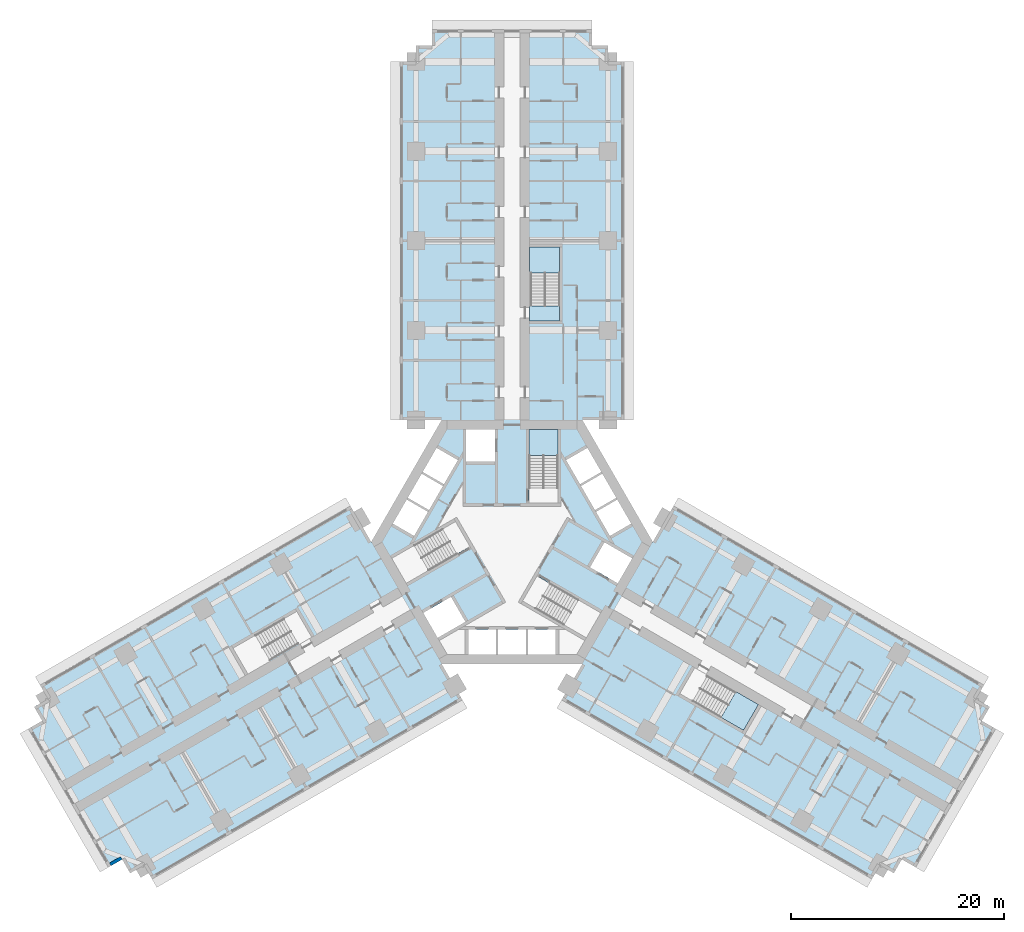
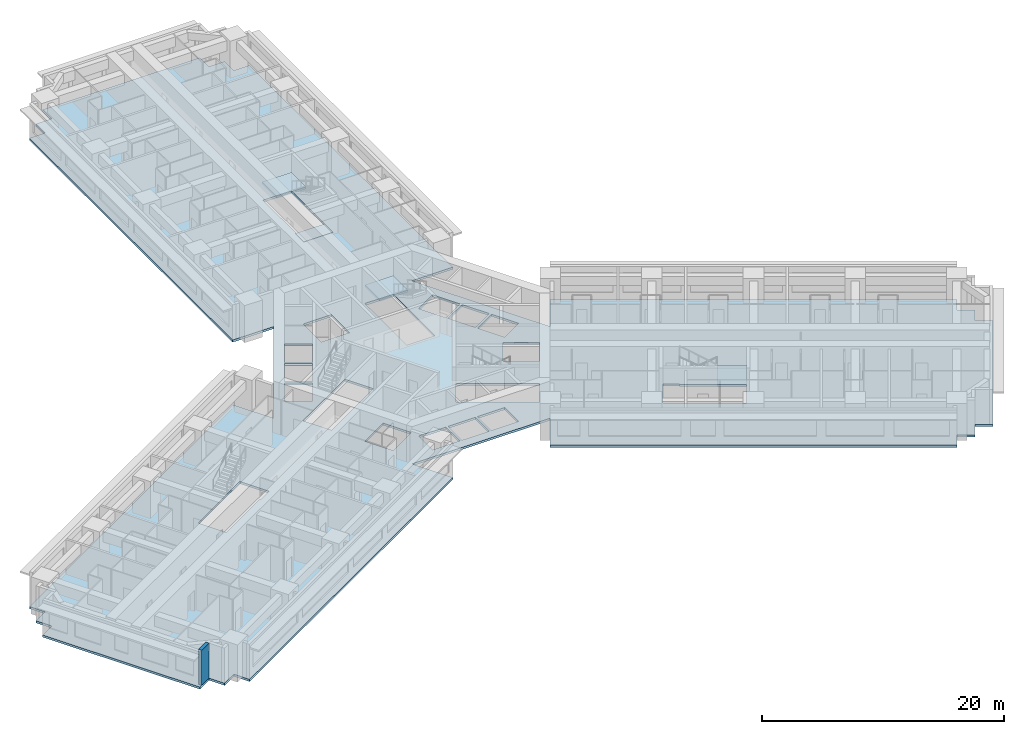
# One storey, part 2 of 17: 5 slabs, 1 wall, 3 elements without a shape of their own.
"""IFC4 building model written with IfcOpenShell, lengths in metres."""

from ifc_helpers import new_model, si_unit, direction, frame, frame_2d, origin, place, context, subcontext, project, spatial, polyline, rectangle, outline, extrude, material, layer, layer_set, type_object, element, aggregate, save


model = new_model("IFC4")

# Units and contexts
model_context = context("Model", 3, precision=1e-05, world=origin(), true_north=direction((0.0, 1.0)))
body_context = subcontext(model_context, "Body", "Model", "MODEL_VIEW")
ifc_project = project(units=[si_unit("LENGTHUNIT", "METRE"), si_unit("AREAUNIT", "SQUARE_METRE"), si_unit("VOLUMEUNIT", "CUBIC_METRE"), si_unit("PLANEANGLEUNIT", "RADIAN"), si_unit("MASSUNIT", "GRAM", prefix="KILO")], contexts=[model_context])

# Site, building, storey
site_placement = place(None, origin())
site = spatial("IfcSite", under=ifc_project, at=site_placement, CompositionType="ELEMENT")
building_placement = place(site_placement, origin())
building = spatial("IfcBuilding", under=site, at=building_placement, Name="Impinga Residences", CompositionType="ELEMENT")
storey_placement = place(building_placement, frame((0.0, 0.0, 29.75)))
storey = spatial("IfcBuildingStorey", under=building, at=storey_placement, Name="L06", CompositionType="ELEMENT", Elevation=29.75)

# Slab
ifc_material_1 = material(Name="Concrete C60/75", Category="concrete")
ifc_layer_1 = layer(ifc_material_1, 0.219970703125)
ifc_layer_set_1 = layer_set([ifc_layer_1], Name="Concrete C60/75")
slab_type_1 = type_object("IfcSlabType", Name="FS1 tower floor slab 220", PredefinedType="FLOOR", material=ifc_layer_set_1)
slab_1_placement = place(storey_placement, frame((0.0, 0.0, -0.219970703125)))
element("IfcSlab", 1, at=slab_1_placement, inside=storey, type_object=slab_type_1, Name="Floor slab FS1 L06", PredefinedType="FLOOR", context=body_context, shape_type="SweptSolid", body=[
    extrude(outline(polyline([(-34.49853515625, -30.31005859375), (-35.797607421875, -31.06005859375), (-36.547607421875, -29.760986328125), (-37.846435546875, -30.510986328125), (-45.346435546875, -17.5205078125), (-44.047607421875, -16.7705078125), (-44.797607421875, -15.471435546875), (-43.49853515625, -14.721435546875), (-44.24853515625, -13.422607421875), (-15.14990234375, 3.37744140625), (-13.199951171875, 0.0), (-6.60009765625, 11.431640625), (-10.5, 11.431640625), (-10.5, 45.031494140625), (-9.0, 45.031494140625), (-9.0, 46.531494140625), (-7.5, 46.531494140625), (-7.5, 48.031494140625), (7.5, 48.031494140625), (7.5, 46.531494140625), (9.0, 46.531494140625), (9.0, 45.031494140625), (10.5, 45.031494140625), (10.5, 11.431640625), (6.60009765625, 11.431640625), (13.199951171875, 0.0), (15.14990234375, 3.37744140625), (44.24853515625, -13.422607421875), (43.49853515625, -14.721435546875), (44.797607421875, -15.471435546875), (44.047607421875, -16.7705078125), (45.346435546875, -17.5205078125), (37.846435546875, -30.510986328125), (36.547607421875, -29.760986328125), (35.797607421875, -31.06005859375), (34.49853515625, -30.31005859375), (33.74853515625, -31.609130859375), (4.64990234375, -14.80908203125), (9.900146484375, -5.7158203125), (6.60009765625, -11.431640625), (-6.60009765625, -11.431640625), (-9.900146484375, -5.7158203125), (-4.64990234375, -14.80908203125), (-33.74853515625, -31.609130859375), (-34.49853515625, -30.31005859375)]), holes=[polyline([(-21.391357421875, -7.2119140625), (-26.154541015625, -9.9619140625), (-24.8046875, -12.30029296875), (-20.04150390625, -9.55029296875), (-19.991455078125, -9.63671875), (-18.779052734375, -8.936767578125), (-18.8291015625, -8.850341796875), (-18.8291015625, -8.850341796875), (-20.178955078125, -6.511962890625), (-21.391357421875, -7.2119140625), (-21.391357421875, -7.2119140625)]), polyline([(-1.5, -8.2314453125), (-4.10009765625, -8.2314453125), (-4.10009765625, -10.531494140625), (-1.5, -10.531494140625), (-1.5, -8.2314453125)]), polyline([(1.300048828125, -8.2314453125), (-1.300048828125, -8.2314453125), (-1.300048828125, -10.531494140625), (1.300048828125, -10.531494140625), (1.300048828125, -8.2314453125)]), polyline([(1.5, -8.2314453125), (1.5, -10.531494140625), (4.10009765625, -10.531494140625), (4.10009765625, -8.2314453125), (1.5, -8.2314453125)]), polyline([(-5.72119140625, -5.150634765625), (-8.320556640625, -6.6513671875), (-6.970458984375, -8.98974609375), (-4.37109375, -7.489013671875), (-5.72119140625, -5.150634765625)]), polyline([(-3.943603515625, -0.429443359375), (-5.293701171875, 1.908935546875), (-11.2705078125, -1.541748046875), (-9.920654296875, -3.880126953125), (-3.943603515625, -0.429443359375)]), polyline([(-9.1787109375, 0.56494140625), (-7.878662109375, 2.816650390625), (-9.87060546875, 3.966796875), (-11.170654296875, 1.715087890625), (-9.1787109375, 0.56494140625)]), polyline([(-6.478759765625, 5.24169921875), (-8.470458984375, 6.3916015625), (-9.7705078125, 4.139892578125), (-7.77880859375, 2.989990234375), (-6.478759765625, 5.24169921875)]), polyline([(-6.378662109375, 5.414794921875), (-5.07861328125, 7.66650390625), (-7.070556640625, 8.81640625), (-8.37060546875, 6.564697265625), (-6.378662109375, 5.414794921875)]), polyline([(-4.300048828125, 7.530029296875), (-1.60009765625, 7.530029296875), (-1.60009765625, 10.531494140625), (-4.300048828125, 10.531494140625), (-4.300048828125, 7.530029296875)]), polyline([(15.72900390625, -14.219482421875), (21.70458984375, -17.669677734375), (23.0546875, -15.331298828125), (18.29150390625, -12.581298828125), (18.341552734375, -12.49462890625), (17.129150390625, -11.794677734375), (15.72900390625, -14.219482421875)]), polyline([(0.99365234375, -5.538818359375), (6.970458984375, -8.98974609375), (8.320556640625, -6.6513671875), (2.34375, -3.20068359375), (0.99365234375, -5.538818359375)]), polyline([(8.671142578125, -0.041015625), (7.3212890625, -2.37939453125), (9.920654296875, -3.880126953125), (11.2705078125, -1.541748046875), (8.671142578125, -0.041015625)]), polyline([(7.878662109375, 2.816650390625), (9.1787109375, 0.56494140625), (11.170654296875, 1.715087890625), (9.87060546875, 3.966796875), (7.878662109375, 2.816650390625)]), polyline([(7.77880859375, 2.989990234375), (9.7705078125, 4.139892578125), (8.470458984375, 6.3916015625), (6.478759765625, 5.24169921875), (7.77880859375, 2.989990234375)]), polyline([(1.60009765625, 3.6298828125), (4.300048828125, 3.6298828125), (4.300048828125, 10.531494140625), (1.60009765625, 10.531494140625), (1.60009765625, 3.6298828125)]), polyline([(5.07861328125, 7.66650390625), (6.378662109375, 5.414794921875), (8.37060546875, 6.564697265625), (7.070556640625, 8.81640625), (5.07861328125, 7.66650390625)]), polyline([(1.75, 22.131591796875), (1.64990234375, 22.131591796875), (1.64990234375, 20.7314453125), (1.75, 20.7314453125), (4.449951171875, 20.7314453125), (4.449951171875, 22.131591796875), (4.449951171875, 27.631591796875), (1.75, 27.631591796875), (1.75, 22.131591796875)])]), origin(), (0.0, 0.0, 1.0), 0.219970703125),
])

# Stair, slab
ifc_material_2 = material(Name="Concrete C40/50", Category="concrete")
stair_type_1 = type_object("IfcStairType", Name="STR core stair 3750 storey, 24 risers", PredefinedType="HALF_TURN_STAIR", material=ifc_material_2)
stair_1_placement = place(storey_placement, origin())
stair_1 = element("IfcStair", 2, at=stair_1_placement, inside=storey, type_object=stair_type_1, Name="Stair ST1 L06", PredefinedType="HALF_TURN_STAIR")
ifc_layer_2 = layer(ifc_material_2, 0.199951171875)
ifc_layer_set_2 = layer_set([ifc_layer_2], Name="Concrete C40/50")
slab_type_2 = type_object("IfcSlabType", Name="LS1 stair landing 200", PredefinedType="LANDING", material=ifc_layer_set_2)
slab_2_placement = place(storey_placement, frame((0.0, 0.0, 1.675048828125)))
slab_2 = element("IfcSlab", 3, at=slab_2_placement, type_object=slab_type_2, Name="ST1 landing 2", PredefinedType="LANDING", context=body_context, shape_type="SweptSolid", body=[
    extrude(outline(polyline([(1.60009765625, 8.10009765625), (4.300048828125, 8.10009765625), (4.300048828125, 10.531494140625), (1.60009765625, 10.531494140625), (1.60009765625, 8.10009765625)])), origin(), (0.0, 0.0, 1.0), 0.199951171875),
])
aggregate(stair_1, [slab_2])

# Stair, slabs
stair_type_2 = type_object("IfcStairType", Name="STR wing stair 3750 storey, 24 risers", PredefinedType="HALF_TURN_STAIR", material=ifc_material_2)
stair_2_placement = place(storey_placement, origin())
stair_2 = element("IfcStair", 4, at=stair_2_placement, inside=storey, type_object=stair_type_2, Name="Stair WS1 L06", PredefinedType="HALF_TURN_STAIR")
slab_3_placement = place(storey_placement, frame((0.0, 0.0, -0.199951171875)))
slab_3 = element("IfcSlab", 5, at=slab_3_placement, type_object=slab_type_2, Name="WS1 landing 1", PredefinedType="LANDING", context=body_context, shape_type="SweptSolid", body=[
    extrude(outline(polyline([(1.64990234375, 20.7314453125), (4.449951171875, 20.7314453125), (4.449951171875, 22.1416015625), (1.64990234375, 22.1416015625), (1.64990234375, 20.7314453125)])), origin(), (0.0, 0.0, 1.0), 0.199951171875),
])
slab_4_placement = place(storey_placement, frame((0.0, 0.0, 1.675048828125)))
slab_4 = element("IfcSlab", 6, at=slab_4_placement, type_object=slab_type_2, Name="WS1 landing 2", PredefinedType="LANDING", context=body_context, shape_type="SweptSolid", body=[
    extrude(outline(polyline([(1.64990234375, 25.201416015625), (4.449951171875, 25.201416015625), (4.449951171875, 27.631591796875), (1.64990234375, 27.631591796875), (1.64990234375, 25.201416015625)])), origin(), (0.0, 0.0, 1.0), 0.199951171875),
])
aggregate(stair_2, [slab_3, slab_4])

# Stair, slab
stair_3_placement = place(storey_placement, origin())
stair_3 = element("IfcStair", 7, at=stair_3_placement, inside=storey, type_object=stair_type_2, Name="Stair WS3 L06", PredefinedType="HALF_TURN_STAIR")
slab_5_placement = place(storey_placement, frame((0.0, 0.0, 1.675048828125)))
slab_5 = element("IfcSlab", 8, at=slab_5_placement, type_object=slab_type_2, Name="WS3 landing 2", PredefinedType="LANDING", context=body_context, shape_type="SweptSolid", body=[
    extrude(outline(polyline([(21.000244140625, -14.02978515625), (19.60009765625, -16.45458984375), (21.70458984375, -17.669677734375), (23.1044921875, -15.24462890625), (21.000244140625, -14.02978515625)])), origin(), (0.0, 0.0, 1.0), 0.199951171875),
])
aggregate(stair_3, [slab_5])

# Wall
ifc_material_3 = material(Name="Terracotta rainscreen on blockwork", Category="masonry")
ifc_layer_3 = layer(ifc_material_3, 0.300048828125)
ifc_layer_set_3 = layer_set([ifc_layer_3], Name="EW1 external wall, terracotta rainscreen on blockwork 300")
wall_type = type_object("IfcWallType", Name="EW1 external wall, terracotta rainscreen on blockwork 300", PredefinedType="SOLIDWALL", material=ifc_layer_set_3)
wall_placement = place(storey_placement, frame((-36.626708984375, -29.633544921875, 0.0), z_axis=(0.0, 0.0, 1.0), x_axis=(-0.866059708757, -0.499940577336, 0.0)))
element("IfcWall", 9, at=wall_placement, inside=storey, type_object=wall_type, Name="External wall EW1 L06", PredefinedType="SOLIDWALL", context=body_context, shape_type="SweptSolid", body=[
    extrude(rectangle(XDim=1.195068359375, YDim=0.300048828125, at=frame_2d((0.59765625, 0.0))), origin(), (0.0, 0.0, 1.0), 3.530029296875),
])

save(model, "model.ifc")
